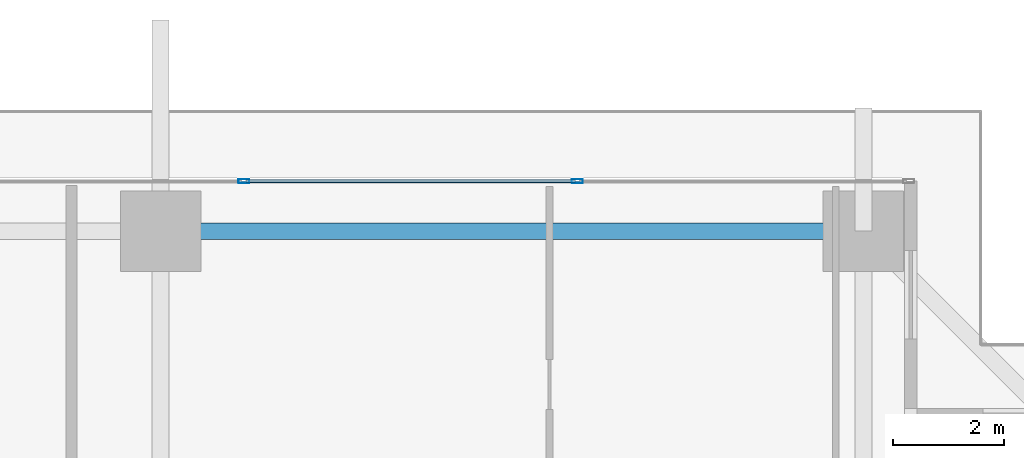
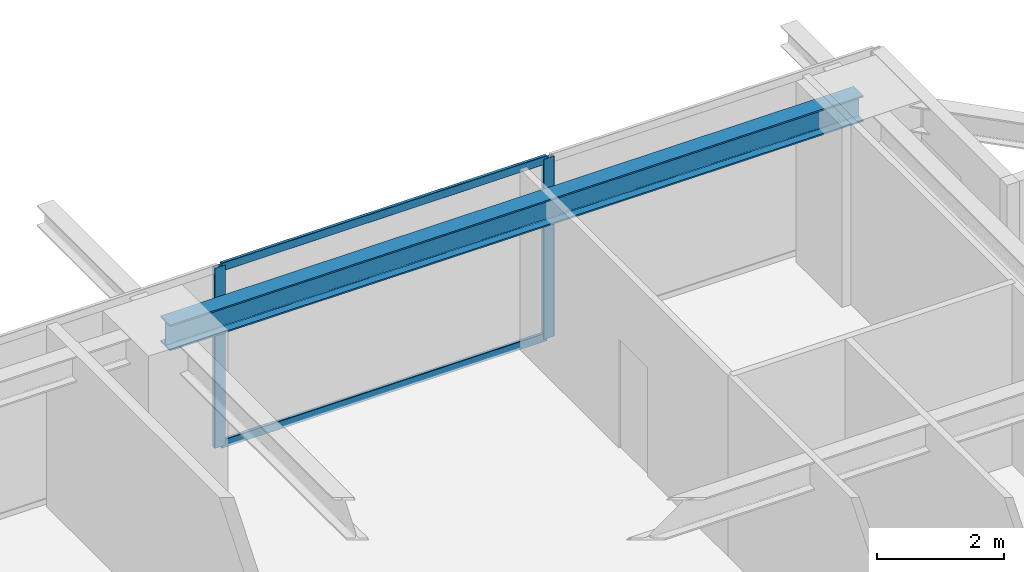
# One storey, part 24 of 39: 4 members, 1 beam, 1 element without a shape of its own.
"""IFC4 building model written with IfcOpenShell, lengths in metres."""

from ifc_helpers import new_model, si_unit, direction, frame, origin, origin_2d, place, context, subcontext, project, spatial, hollow_rectangle, i_section, extrude, source, transform, mapped, material, layer, layer_set, material_profile, profile_set, type_object, element, aggregate, save


model = new_model("IFC4")

# Units and contexts
model_context = context("Model", 3, precision=1e-05, world=origin(), true_north=direction((0.0, 1.0)))
body_context = subcontext(model_context, "Body", "Model", "MODEL_VIEW")
ifc_project = project(units=[si_unit("LENGTHUNIT", "METRE"), si_unit("AREAUNIT", "SQUARE_METRE"), si_unit("VOLUMEUNIT", "CUBIC_METRE"), si_unit("PLANEANGLEUNIT", "RADIAN"), si_unit("MASSUNIT", "GRAM", prefix="KILO")], contexts=[model_context])

# Site, building, storey
site_placement = place(None, origin())
site = spatial("IfcSite", under=ifc_project, at=site_placement, CompositionType="ELEMENT")
building_placement = place(site_placement, origin())
building = spatial("IfcBuilding", under=site, at=building_placement, Name="Serunith Strait Residences", CompositionType="ELEMENT")
storey_placement = place(building_placement, frame((0.0, 0.0, 79.199951171875)))
storey = spatial("IfcBuildingStorey", under=building, at=storey_placement, Name="L19", CompositionType="ELEMENT", Elevation=79.199951171875)

# Beam
ifc_material_1 = material(Name="Steel S355J2", Category="steel")
ifc_material_profile_1 = material_profile(ifc_material_1, i_section(OverallWidth=0.300048828125, OverallDepth=0.5, WebThickness=0.014404296875, FlangeThickness=0.028076171875, FilletRadius=0.027099609375, at=origin_2d()), Name="HEB 500")
ifc_profile_set_1 = profile_set([ifc_material_profile_1], Name="Steel S355J2")
beam_type = type_object("IfcBeamType", Name="BM-HEB500", PredefinedType="BEAM", material=ifc_profile_set_1)
shared_shape_1 = source(origin(), body_context, "Body", "SweptSolid", [
    extrude(i_section(OverallWidth=0.300048828125, OverallDepth=0.5, WebThickness=0.014404296875, FlangeThickness=0.028076171875, FilletRadius=0.027099609375, at=origin_2d()), origin(), (0.0, 0.0, 1.0), 12.650146484375),
])
beam_placement = place(storey_placement, frame((49.550048828125, 49.300048828125, 3.237060546875), z_axis=(-1.0, 0.0, 0.0), x_axis=(0.0, -1.0, 0.0)))
element("IfcBeam", 1, at=beam_placement, inside=storey, type_object=beam_type, Name="L19 Perimeter Ring Beam 09", PredefinedType="BEAM", context=body_context, shape_type="MappedRepresentation", body=[
    mapped(shared_shape_1, transform((0.0, 0.0, 0.0), scale=1.0)),
])

# Curtain wall, members
ifc_material_2 = material(Name="Pale-Champagne Anodised Aluminium", Category="aluminium")
ifc_layer = layer(ifc_material_2, 0.199951171875, Name="Pale-Champagne Anodised Aluminium")
ifc_layer_set = layer_set([ifc_layer], Name="Pale-Champagne Anodised Aluminium")
curtain_wall_type = type_object("IfcCurtainWallType", Name="CW-SYS1", PredefinedType="NOTDEFINED", material=ifc_layer_set)
curtain_wall_placement = place(storey_placement, origin())
curtain_wall = element("IfcCurtainWall", 2, at=curtain_wall_placement, inside=storey, type_object=curtain_wall_type, Name="L19 N Unitised Fritted Curtain Wall", PredefinedType="NOTDEFINED")
ifc_material_profile_2 = material_profile(ifc_material_2, hollow_rectangle(XDim=0.070068359375, YDim=0.199951171875, WallThickness=0.00390625, InnerFilletRadius=0.006103515625, OuterFilletRadius=0.010009765625, at=origin_2d()), Name="ALU 200x70x4")
ifc_profile_set_2 = profile_set([ifc_material_profile_2], Name="Pale-Champagne Anodised Aluminium")
member_type_1 = type_object("IfcMemberType", Name="CW-SYS1-MULL", PredefinedType="MULLION", material=ifc_profile_set_2)
shared_shape_2 = source(origin(), body_context, "Body", "SweptSolid", [
    extrude(hollow_rectangle(XDim=0.070068359375, YDim=0.199951171875, WallThickness=0.00390625, InnerFilletRadius=0.006103515625, OuterFilletRadius=0.010009765625, at=origin_2d()), origin(), (0.0, 0.0, 1.0), 3.47509765625),
])
member_1_placement = place(storey_placement, frame((44.39990234375, 50.199951171875, 0.0), z_axis=(0.0, 0.0, 1.0), x_axis=(0.0, -1.0, 0.0)))
member_1 = element("IfcMember", 3, at=member_1_placement, type_object=member_type_1, Name="CW-1 mullion 2", PredefinedType="MULLION", context=body_context, shape_type="MappedRepresentation", body=[
    mapped(shared_shape_2, transform((0.0, 0.0, 0.0), scale=1.0)),
])
member_2_placement = place(storey_placement, frame((38.39990234375, 50.199951171875, 0.0), z_axis=(0.0, 0.0, 1.0), x_axis=(0.0, -1.0, 0.0)))
member_2 = element("IfcMember", 4, at=member_2_placement, type_object=member_type_1, Name="CW-1 mullion 3", PredefinedType="MULLION", context=body_context, shape_type="MappedRepresentation", body=[
    mapped(shared_shape_2, transform((0.0, 0.0, 0.0), scale=1.0)),
])
ifc_material_profile_3 = material_profile(ifc_material_2, hollow_rectangle(XDim=0.06005859375, YDim=0.159912109375, WallThickness=0.00341796875, InnerFilletRadius=0.00537109375, OuterFilletRadius=0.0087890625, at=origin_2d()), Name="ALU 160x60x3.5")
ifc_profile_set_3 = profile_set([ifc_material_profile_3], Name="Pale-Champagne Anodised Aluminium")
member_type_2 = type_object("IfcMemberType", Name="CW-SYS1-TRAN", PredefinedType="USERDEFINED", material=ifc_profile_set_3)
shared_shape_3 = source(origin(), body_context, "Body", "SweptSolid", [
    extrude(hollow_rectangle(XDim=0.06005859375, YDim=0.159912109375, WallThickness=0.00341796875, InnerFilletRadius=0.00537109375, OuterFilletRadius=0.0087890625, at=origin_2d()), origin(), (0.0, 0.0, 1.0), 5.929931640625),
])
member_3_placement = place(storey_placement, frame((44.364990234375, 50.199951171875, 0.030029296875), z_axis=(-1.0, 0.0, 0.0), x_axis=(0.0, -1.0, 0.0)))
member_3 = element("IfcMember", 5, at=member_3_placement, type_object=member_type_2, Name="CW-1 transom 2.1", ObjectType="TRANSOM", PredefinedType="USERDEFINED", context=body_context, shape_type="MappedRepresentation", body=[
    mapped(shared_shape_3, transform((0.0, 0.0, 0.0), scale=1.0)),
])
member_4_placement = place(storey_placement, frame((44.364990234375, 50.199951171875, 3.445068359375), z_axis=(-1.0, 0.0, 0.0), x_axis=(0.0, -1.0, 0.0)))
member_4 = element("IfcMember", 6, at=member_4_placement, type_object=member_type_2, Name="CW-1 transom 2.2", ObjectType="TRANSOM", PredefinedType="USERDEFINED", context=body_context, shape_type="MappedRepresentation", body=[
    mapped(shared_shape_3, transform((0.0, 0.0, 0.0), scale=1.0)),
])
aggregate(curtain_wall, [member_1, member_2, member_3, member_4])

save(model, "model.ifc")
